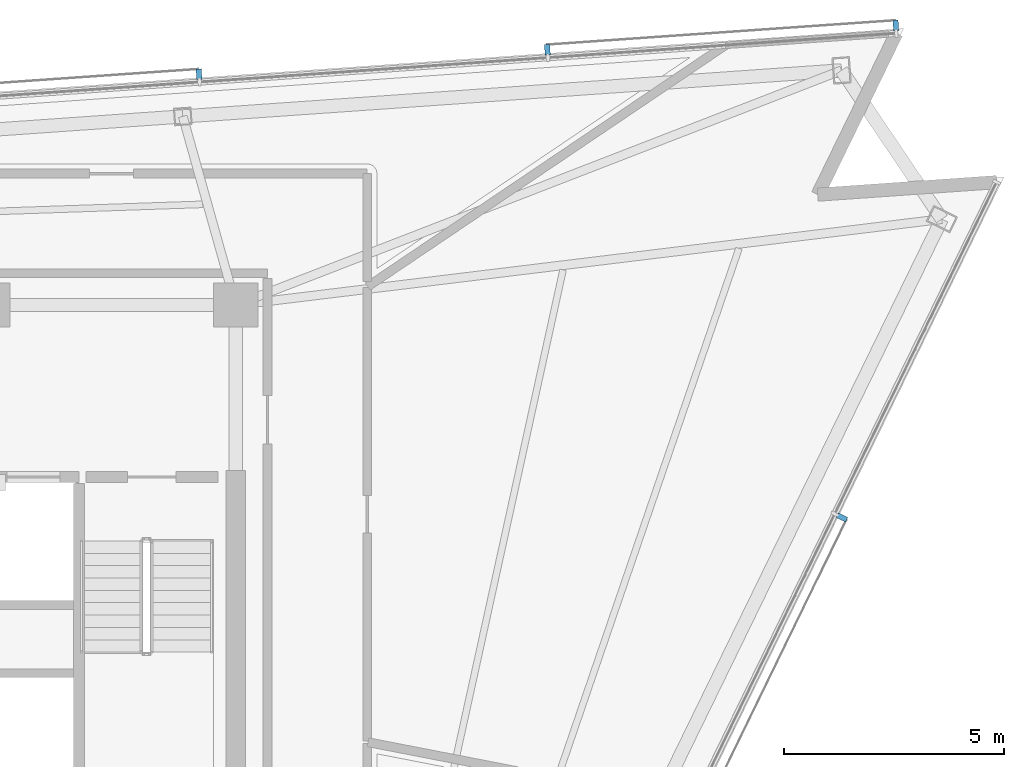
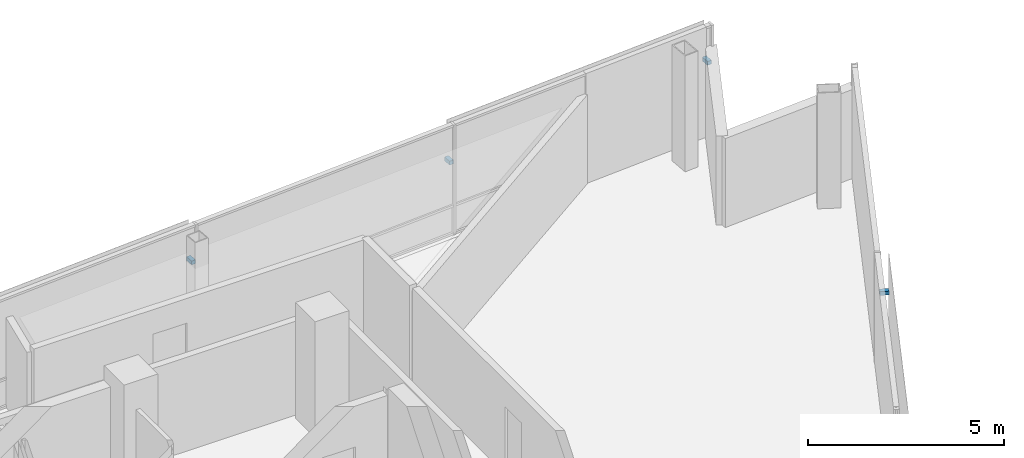
# One storey, part 13 of 16: 4 discrete accessories.
"""IFC4 building model written with IfcOpenShell, lengths in metres."""

from ifc_helpers import new_model, si_unit, direction, frame, origin, origin_2d, place, context, subcontext, project, spatial, rectangle, extrude, material, type_object, element, save


model = new_model("IFC4")

# Units and contexts
model_context = context("Model", 3, precision=1e-05, world=origin(), true_north=direction((0.0, 1.0)))
body_context = subcontext(model_context, "Body", "Model", "MODEL_VIEW")
ifc_project = project(units=[si_unit("LENGTHUNIT", "METRE"), si_unit("AREAUNIT", "SQUARE_METRE"), si_unit("VOLUMEUNIT", "CUBIC_METRE"), si_unit("PLANEANGLEUNIT", "RADIAN"), si_unit("MASSUNIT", "GRAM", prefix="KILO")], contexts=[model_context])

# Site, building, storey
site_placement = place(None, origin())
site = spatial("IfcSite", under=ifc_project, at=site_placement, CompositionType="ELEMENT")
building_placement = place(site_placement, origin())
building = spatial("IfcBuilding", under=site, at=building_placement, Name="Tharavind Bronze Gate", CompositionType="ELEMENT")
storey_placement = place(building_placement, frame((0.0, 0.0, 264.199951171875)))
storey = spatial("IfcBuildingStorey", under=building, at=storey_placement, Name="L68", CompositionType="ELEMENT", Elevation=264.199951171875)

# Discrete accessories
ifc_material = material(Name="Stainless Steel 316", Category="steel")
discrete_accessory_type = type_object("IfcDiscreteAccessoryType", Name="SOLAR SCREEN STANDOFF BRACKET", PredefinedType="BRACKET", material=ifc_material)
for number, where, z_axis, x_axis, name in (
    (1, (22.64697265625, 2.78466796875, 2.10009765625), (0.0, 0.0, 1.0), (0.43837271548, 0.898793281196, 0.0), "CW-L68-S2 solar screen bracket 5.2"),
    (2, (23.867919921875, 13.940673828125, 2.10009765625), (0.0, 0.0, 1.0), (-0.997563806758, -0.069759955899, 0.0), "CW-L68-S3 solar screen bracket 1.1"),
    (3, (15.966796875, 13.38818359375, 2.10009765625), (0.0, 0.0, 1.0), (-0.997563806758, -0.069759955899, 0.0), "CW-L68-S3 solar screen bracket 1.2"),
    (4, (8.06591796875, 12.835693359375, 2.10009765625), (0.0, 0.0, 1.0), (-0.997563806758, -0.069759955899, 0.0), "CW-L68-S3 solar screen bracket 3.1"),
):
    element("IfcDiscreteAccessory", number, at=place(storey_placement, frame(where, z_axis=z_axis, x_axis=x_axis)), inside=storey, type_object=discrete_accessory_type, Name=name, PredefinedType="BRACKET", context=body_context, shape_type="SweptSolid", body=[
        extrude(rectangle(XDim=0.1201171875, YDim=0.239990234375, at=origin_2d()), origin(), (0.0, 0.0, 1.0), 0.1201171875),
    ])

save(model, "model.ifc")
